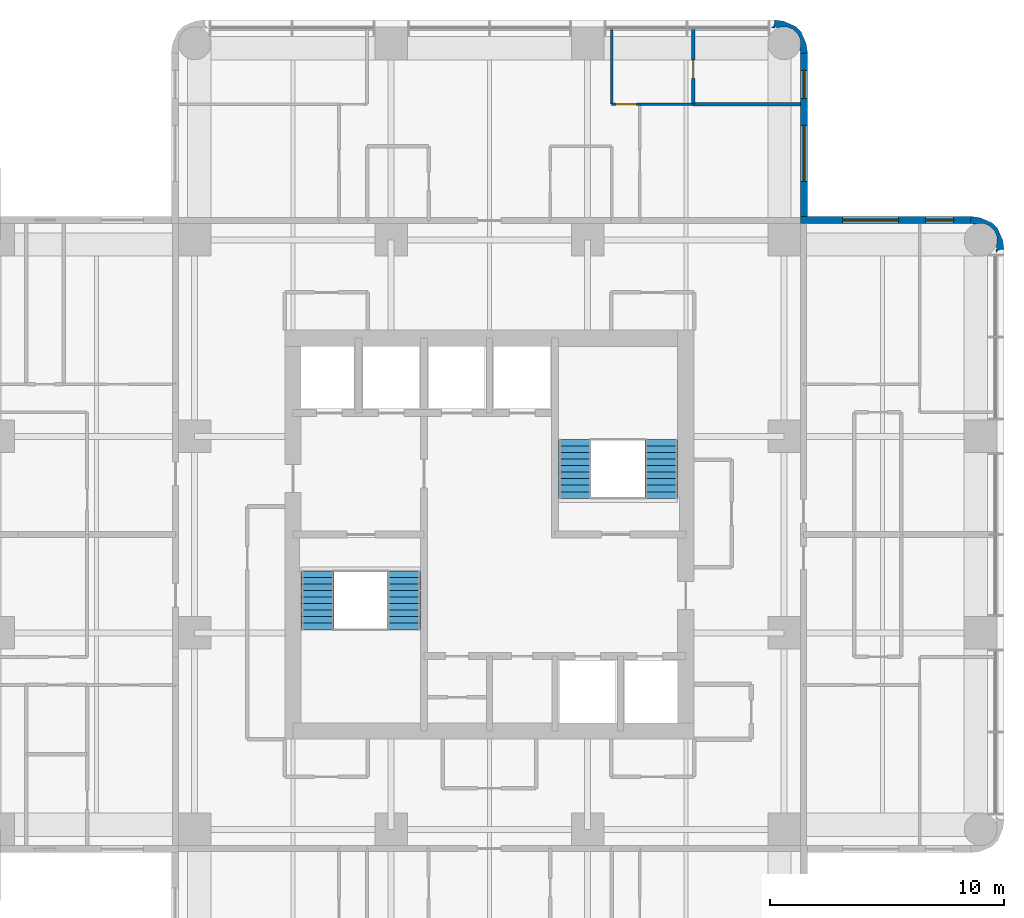
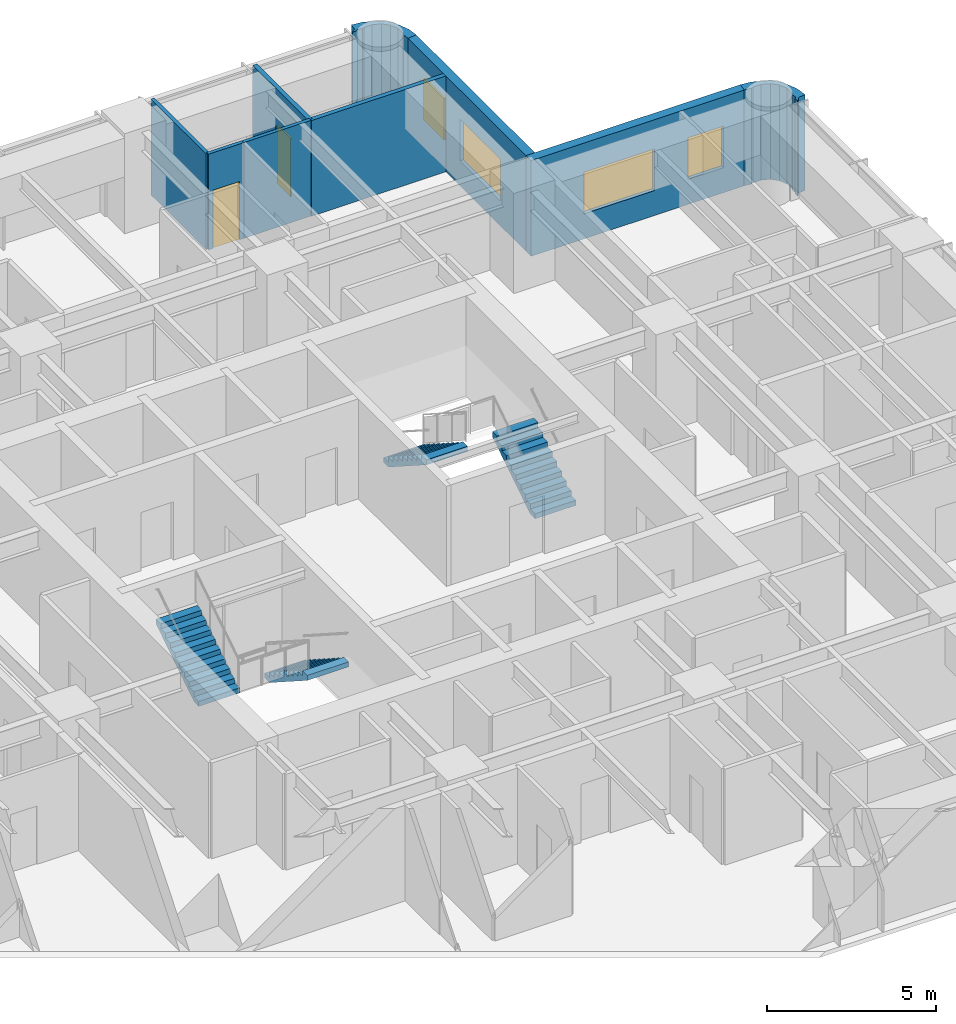
# One storey, part 10 of 11: 9 walls, 4 stair flights, 4 windows, 2 doors, 6 openings, 2 elements without a shape of their own.
"""IFC4 building model written with IfcOpenShell, lengths in metres."""

from ifc_helpers import new_model, si_unit, direction, frame, frame_2d, origin, place, context, subcontext, project, spatial, polyline, rectangle, outline, extrude, material, layer, layer_set, type_object, element, fill, aggregate, save


model = new_model("IFC4")

# Units and contexts
model_context = context("Model", 3, precision=1e-05, world=origin(), true_north=direction((0.0, 1.0)))
body_context = subcontext(model_context, "Body", "Model", "MODEL_VIEW")
ifc_project = project(units=[si_unit("LENGTHUNIT", "METRE"), si_unit("AREAUNIT", "SQUARE_METRE"), si_unit("VOLUMEUNIT", "CUBIC_METRE"), si_unit("PLANEANGLEUNIT", "RADIAN"), si_unit("MASSUNIT", "GRAM", prefix="KILO")], contexts=[model_context])

# Site, building, storey
site_placement = place(None, origin())
site = spatial("IfcSite", under=ifc_project, at=site_placement, CompositionType="ELEMENT")
building_placement = place(site_placement, origin())
building = spatial("IfcBuilding", under=site, at=building_placement, Name="Torre Alcanfor", CompositionType="ELEMENT")
storey_placement = place(building_placement, frame((0.0, 0.0, 197.699951171875)))
storey = spatial("IfcBuildingStorey", under=building, at=storey_placement, Name="L51", CompositionType="ELEMENT", Elevation=197.699951171875)

# Wall
ifc_material_1 = material(Name="Gypsum board on steel studs", Category="steel")
ifc_layer_1 = layer(ifc_material_1, 0.1201171875)
ifc_layer_set_1 = layer_set([ifc_layer_1], Name="Apartment partition 120")
wall_type_1 = type_object("IfcWallType", Name="Apartment partition 120", PredefinedType="PARTITIONING", material=ifc_layer_set_1)
wall_1_placement = place(storey_placement, frame((34.62890625, 51.050048828125, 0.0), z_axis=(0.0, 0.0, 1.0), x_axis=(0.0, -1.0, 0.0)))
element("IfcWall", 1, at=wall_1_placement, inside=storey, type_object=wall_type_1, Name="Partition L51-NX-LIVING / L51-NX-BED1", PredefinedType="PARTITIONING", context=body_context, shape_type="SweptSolid", body=[
    extrude(rectangle(XDim=3.25, YDim=0.1201171875, at=frame_2d((1.625, 0.0))), origin(), (0.0, 0.0, 1.0), 3.449951171875),
])

# Wall, opening, door
wall_2_placement = place(storey_placement, frame((34.62890625, 47.800048828125, 0.0), z_axis=(0.0, 0.0, 1.0), x_axis=(1.0, 0.0, 0.0)))
wall_2 = element("IfcWall", 2, at=wall_2_placement, inside=storey, type_object=wall_type_1, Name="Partition L51-NX-LIVING / L51-NX-BED1", PredefinedType="PARTITIONING", context=body_context, shape_type="SweptSolid", body=[
    extrude(rectangle(XDim=1.2001953125, YDim=0.1201171875, at=frame_2d((0.60009765625, 0.0))), origin(), (0.0, 0.0, 1.0), 3.449951171875),
])
opening_1_placement = place(wall_2_placement, frame((0.15087890625, 0.0, 0.0)))
opening_1 = element("IfcOpeningElement", 3, at=opening_1_placement, cuts=wall_2, Name="Opening D-R1", PredefinedType="OPENING", context=body_context, shape_type="SweptSolid", body=[
    extrude(rectangle(XDim=0.89990234375, YDim=2.10009765625, at=frame_2d((0.449951171875, 1.050048828125))), frame((0.0, 0.070068359375, 0.0), z_axis=(0.0, -1.0, 0.0), x_axis=(1.0, 0.0, 0.0)), (0.0, 0.0, 1.0), 0.14013671875),
])
ifc_material_2 = material(Name="Timber", Category="wood")
door_type_1 = type_object("IfcDoorType", Name="Internal door 900x2100", OperationType="SINGLE_SWING_LEFT", PredefinedType="DOOR", material=ifc_material_2)
door_1_placement = place(opening_1_placement, origin())
door_1 = element("IfcDoor", 4, at=door_1_placement, inside=storey, type_object=door_type_1, Name="Door L51-NX bed1", OperationType="SINGLE_SWING_LEFT", OverallHeight=2.10009765625, OverallWidth=0.89990234375, PredefinedType="DOOR", context=body_context, shape_type="SweptSolid", body=[
    extrude(rectangle(XDim=0.89990234375, YDim=2.10009765625, at=frame_2d((0.449951171875, 1.050048828125))), frame((0.0, 0.02490234375, 0.0), z_axis=(0.0, -1.0, 0.0), x_axis=(1.0, 0.0, 0.0)), (0.0, 0.0, 1.0), 0.050048828125),
])
fill(opening_1, door_1)

# Wall
wall_3_placement = place(storey_placement, frame((38.114013671875, 47.800048828125, 0.0), z_axis=(0.0, 0.0, 1.0), x_axis=(-1.0, 0.0, 0.0)))
element("IfcWall", 5, at=wall_3_placement, inside=storey, type_object=wall_type_1, Name="Partition L51-NX-BED3 / L51-NX-BED1", PredefinedType="PARTITIONING", context=body_context, shape_type="SweptSolid", body=[
    extrude(rectangle(XDim=2.284912109375, YDim=0.1201171875, at=frame_2d((1.142578125, 0.0))), origin(), (0.0, 0.0, 1.0), 3.449951171875),
])

# Wall, openings, windows
ifc_material_3 = material(Name="Limestone cladding", Category="masonry")
ifc_layer_2 = layer(ifc_material_3, 0.0400390625, Name="Facing")
ifc_material_4 = material(Name="Ventilated air cavity")
ifc_layer_3 = layer(ifc_material_4, 0.02001953125, ventilated=True, Name="Ventilated joint")
ifc_material_5 = material(Name="Mineral wool insulation", Category="insulation")
ifc_layer_4 = layer(ifc_material_5, 0.10009765625, Name="Insulation")
ifc_material_6 = material(Name="Concrete f'c 35 MPa", Category="concrete")
ifc_layer_5 = layer(ifc_material_6, 0.139892578125, Name="Backing")
ifc_layer_set_2 = layer_set([ifc_layer_2, ifc_layer_3, ifc_layer_4, ifc_layer_5], Name="External wall stone-clad 300")
wall_type_2 = type_object("IfcWallType", Name="External wall stone-clad 300", PredefinedType="SOLIDWALL", material=ifc_layer_set_2)
wall_4_placement = place(storey_placement, frame((50.0, 42.85009765625, 0.0), z_axis=(0.0, 0.0, 1.0), x_axis=(-1.0, 0.0, 0.0)))
wall_4 = element("IfcWall", 6, at=wall_4_placement, inside=storey, type_object=wall_type_2, Name="External wall L51 9", PredefinedType="SOLIDWALL", context=body_context, shape_type="SweptSolid", body=[
    extrude(rectangle(XDim=7.300048828125, YDim=0.300048828125, at=frame_2d((3.64990234375, 0.0))), origin(), (0.0, 0.0, 1.0), 3.449951171875),
])
opening_2_placement = place(wall_4_placement, frame((3.10009765625, 0.0, 0.89990234375)))
opening_2 = element("IfcOpeningElement", 7, at=opening_2_placement, cuts=wall_4, Name="Opening W1", PredefinedType="OPENING", context=body_context, shape_type="SweptSolid", body=[
    extrude(rectangle(XDim=2.39990234375, YDim=1.5, at=frame_2d((1.199951171875, 0.75))), frame((0.0, 0.159912109375, 0.0), z_axis=(0.0, -1.0, 0.0), x_axis=(1.0, 0.0, 0.0)), (0.0, 0.0, 1.0), 0.320068359375),
])
opening_3_placement = place(wall_4_placement, frame((0.75, 0.0, 0.89990234375)))
opening_3 = element("IfcOpeningElement", 8, at=opening_3_placement, cuts=wall_4, Name="Opening W4", PredefinedType="OPENING", context=body_context, shape_type="SweptSolid", body=[
    extrude(rectangle(XDim=1.199951171875, YDim=1.5, at=frame_2d((0.60009765625, 0.75))), frame((0.0, 0.159912109375, 0.0), z_axis=(0.0, -1.0, 0.0), x_axis=(1.0, 0.0, 0.0)), (0.0, 0.0, 1.0), 0.320068359375),
])
ifc_material_7 = material(Name="Aluminium frame with clear double glazing", Category="aluminium")
window_type_1 = type_object("IfcWindowType", Name="Window bedroom 1200x1500", PartitioningType="SINGLE_PANEL", PredefinedType="WINDOW", material=ifc_material_7)
window_1_placement = place(opening_3_placement, origin())
window_1 = element("IfcWindow", 9, at=window_1_placement, inside=storey, type_object=window_type_1, Name="Window W4 L51-E1", OverallHeight=1.5, OverallWidth=1.199951171875, PartitioningType="SINGLE_PANEL", PredefinedType="WINDOW", context=body_context, shape_type="SweptSolid", body=[
    extrude(rectangle(XDim=1.199951171875, YDim=1.5, at=frame_2d((0.60009765625, 0.75))), frame((0.0, 0.030029296875, 0.0), z_axis=(0.0, -1.0, 0.0), x_axis=(1.0, 0.0, 0.0)), (0.0, 0.0, 1.0), 0.06005859375),
])
fill(opening_3, window_1)
ifc_material_8 = material(Name="Aluminium frame with clear double glazing", Category="aluminium")
window_type_2 = type_object("IfcWindowType", Name="Window bedroom 2400x1500", PartitioningType="SINGLE_PANEL", PredefinedType="WINDOW", material=ifc_material_8)
window_2_placement = place(opening_2_placement, origin())
window_2 = element("IfcWindow", 10, at=window_2_placement, inside=storey, type_object=window_type_2, Name="Window W1 L51-E1", OverallHeight=1.5, OverallWidth=2.39990234375, PartitioningType="SINGLE_PANEL", PredefinedType="WINDOW", context=body_context, shape_type="SweptSolid", body=[
    extrude(rectangle(XDim=2.39990234375, YDim=1.5, at=frame_2d((1.199951171875, 0.75))), frame((0.0, 0.030029296875, 0.0), z_axis=(0.0, -1.0, 0.0), x_axis=(1.0, 0.0, 0.0)), (0.0, 0.0, 1.0), 0.06005859375),
])
fill(opening_2, window_2)

wall_5_placement = place(storey_placement, frame((42.85009765625, 43.0, 0.0), z_axis=(0.0, 0.0, 1.0), x_axis=(0.0, 1.0, 0.0)))
wall_5 = element("IfcWall", 11, at=wall_5_placement, inside=storey, type_object=wall_type_2, Name="External wall L51 10", PredefinedType="SOLIDWALL", context=body_context, shape_type="SweptSolid", body=[
    extrude(rectangle(XDim=7.0, YDim=0.300048828125, at=frame_2d((3.5, 0.0))), origin(), (0.0, 0.0, 1.0), 3.449951171875),
])
opening_4_placement = place(wall_5_placement, frame((1.5, 0.0, 0.89990234375)))
opening_4 = element("IfcOpeningElement", 12, at=opening_4_placement, cuts=wall_5, Name="Opening W1", PredefinedType="OPENING", context=body_context, shape_type="SweptSolid", body=[
    extrude(rectangle(XDim=2.39990234375, YDim=1.5, at=frame_2d((1.199951171875, 0.75))), frame((0.0, 0.159912109375, 0.0), z_axis=(0.0, -1.0, 0.0), x_axis=(1.0, 0.0, 0.0)), (0.0, 0.0, 1.0), 0.320068359375),
])
opening_5_placement = place(wall_5_placement, frame((5.050048828125, 0.0, 0.89990234375)))
opening_5 = element("IfcOpeningElement", 13, at=opening_5_placement, cuts=wall_5, Name="Opening W4", PredefinedType="OPENING", context=body_context, shape_type="SweptSolid", body=[
    extrude(rectangle(XDim=1.199951171875, YDim=1.5, at=frame_2d((0.60009765625, 0.75))), frame((0.0, 0.159912109375, 0.0), z_axis=(0.0, -1.0, 0.0), x_axis=(1.0, 0.0, 0.0)), (0.0, 0.0, 1.0), 0.320068359375),
])
window_3_placement = place(opening_5_placement, origin())
window_3 = element("IfcWindow", 14, at=window_3_placement, inside=storey, type_object=window_type_1, Name="Window W4 L51-N2", OverallHeight=1.5, OverallWidth=1.199951171875, PartitioningType="SINGLE_PANEL", PredefinedType="WINDOW", context=body_context, shape_type="SweptSolid", body=[
    extrude(rectangle(XDim=1.199951171875, YDim=1.5, at=frame_2d((0.60009765625, 0.75))), frame((0.0, 0.030029296875, 0.0), z_axis=(0.0, -1.0, 0.0), x_axis=(1.0, 0.0, 0.0)), (0.0, 0.0, 1.0), 0.06005859375),
])
fill(opening_5, window_3)
window_4_placement = place(opening_4_placement, origin())
window_4 = element("IfcWindow", 15, at=window_4_placement, inside=storey, type_object=window_type_2, Name="Window W1 L51-N2", OverallHeight=1.5, OverallWidth=2.39990234375, PartitioningType="SINGLE_PANEL", PredefinedType="WINDOW", context=body_context, shape_type="SweptSolid", body=[
    extrude(rectangle(XDim=2.39990234375, YDim=1.5, at=frame_2d((1.199951171875, 0.75))), frame((0.0, 0.030029296875, 0.0), z_axis=(0.0, -1.0, 0.0), x_axis=(1.0, 0.0, 0.0)), (0.0, 0.0, 1.0), 0.06005859375),
])
fill(opening_4, window_4)

# Walls
ifc_layer_6 = layer(ifc_material_3, 0.0400390625, Name="Facing")
ifc_layer_7 = layer(ifc_material_4, 0.02001953125, ventilated=True, Name="Ventilated joint")
ifc_layer_8 = layer(ifc_material_5, 0.10009765625, Name="Insulation")
ifc_layer_9 = layer(ifc_material_6, 0.139892578125, Name="Backing")
ifc_layer_set_3 = layer_set([ifc_layer_6, ifc_layer_7, ifc_layer_8, ifc_layer_9], Name="Rounded corner pier stone-clad 300")
wall_type_3 = type_object("IfcWallType", Name="Rounded corner pier stone-clad 300", PredefinedType="SOLIDWALL", material=ifc_layer_set_3)
wall_6_placement = place(storey_placement, frame((50.98815184, 41.487674505, 0.0), z_axis=(0.0, 0.0, 1.0), x_axis=(0.898030234854, 0.439933741929, 0.0)))
element("IfcWall", 16, at=wall_6_placement, inside=storey, type_object=wall_type_3, Name="Corner pier L51 18", PredefinedType="SOLIDWALL", context=body_context, shape_type="SweptSolid", body=[
    extrude(outline(polyline([(0.13762845900144902, -0.0395605783475044), (0.18185793649134802, -0.00033087416050568697), (0.41922313919285215, -0.08018355093564442), (0.535860291835806, 0.2661211239178742), (0.5587746083679793, 0.6308813409414961), (0.5545700157158291, 0.6511558966825934), (0.5663920082639611, 0.8356681075750403), (0.45545119814889223, 1.159160361177863), (0.33312688681130387, 1.297925592490813), (0.32402252373636403, 1.3165225487705126), (0.08234923743790223, 1.5906923948786469), (-0.22206721491752535, 1.7928353560160377), (-0.38958661601048106, 1.540782159618673), (-0.3718277173231749, 1.5320822980229156), (-0.19464371431186422, 1.4142897687749243), (-0.11970407362674929, 1.4096575385515544), (0.13067447329798665, 1.2870002306212465), (0.31526160288378063, 1.0777694581339308), (0.4057356995697948, 0.8140544036891404), (0.38812563637514036, 0.5355946934281371), (0.26546832844483254, 0.28521614650340116), (0.2089867161004748, 0.23540500505176065), (0.14757776297591008, 0.05289210976982966), (0.10504410439149783, 0.07372881532016215), (0.03190082356790798, -0.07557748105089318), (0.13762845900144902, -0.0395605783475044)])), origin(), (0.0, 0.0, 1.0), 3.449951171875),
])
wall_7_placement = place(storey_placement, frame((42.724211819, 50.110315272, 0.0), z_axis=(0.0, 0.0, 1.0), x_axis=(0.439933741929, 0.898030234854, 0.0)))
element("IfcWall", 17, at=wall_7_placement, inside=storey, type_object=wall_type_3, Name="Corner pier L51 19", PredefinedType="SOLIDWALL", context=body_context, shape_type="SweptSolid", body=[
    extrude(outline(polyline([(-0.14525732426811072, -0.04414433895897353), (0.0222620768248451, -0.29619753535633836), (0.3266785291802725, -0.09405457421894756), (0.5683518154787345, 0.1801152718891868), (0.5774561785536743, 0.19871222816888634), (0.6997804898912626, 0.33747745948183633), (0.8107213000063315, 0.6609697130846591), (0.7988993074581994, 0.8454819239771059), (0.8031039001103497, 0.8657564797182034), (0.7801895835781762, 1.2305166967418253), (0.6635524309352225, 1.5768213715953436), (0.42618722823371835, 1.496968694820205), (0.38195775074381944, 1.5361983990072037), (0.2762301153102783, 1.5722153017105926), (0.3493733961338682, 1.4229090053395372), (0.39190705471828047, 1.4437457108898697), (0.45331600784284515, 1.2612328156079387), (0.5097976201872029, 1.2114216741562982), (0.6324549281175107, 0.9610431272315622), (0.6500649913121652, 0.6825834169705589), (0.559590894626151, 0.4188683625257686), (0.37500376504035704, 0.20963759003845278), (0.1246252181156211, 0.08698028210814499), (0.04968557743050611, 0.08234805188477495), (-0.12749842558080457, -0.035444477363216154), (-0.14525732426811072, -0.04414433895897353)])), origin(), (0.0, 0.0, 1.0), 3.449951171875),
])
ifc_material_9 = material(Name="Cement board on steel studs", Category="steel")
ifc_layer_10 = layer(ifc_material_9, 0.14990234375)
ifc_layer_set_4 = layer_set([ifc_layer_10], Name="Wet area partition 150")
wall_type_4 = type_object("IfcWallType", Name="Wet area partition 150", PredefinedType="PARTITIONING", material=ifc_layer_set_4)
wall_8_placement = place(storey_placement, frame((42.699951171875, 47.800048828125, 0.0), z_axis=(0.0, 0.0, 1.0), x_axis=(-1.0, 0.0, 0.0)))
element("IfcWall", 18, at=wall_8_placement, inside=storey, type_object=wall_type_4, Name="Partition L51-NX-BED3 / L51-NX-BATH1", PredefinedType="PARTITIONING", context=body_context, shape_type="SweptSolid", body=[
    extrude(rectangle(XDim=4.5859375, YDim=0.14990234375, at=frame_2d((2.29296875, 0.0))), origin(), (0.0, 0.0, 1.0), 3.449951171875),
])

# Wall, opening, door
wall_9_placement = place(storey_placement, frame((38.114013671875, 51.050048828125, 0.0), z_axis=(0.0, 0.0, 1.0), x_axis=(0.0, -1.0, 0.0)))
wall_9 = element("IfcWall", 19, at=wall_9_placement, inside=storey, type_object=wall_type_4, Name="Partition L51-NX-BATH1 / L51-NX-BED1", PredefinedType="PARTITIONING", context=body_context, shape_type="SweptSolid", body=[
    extrude(rectangle(XDim=3.25, YDim=0.14990234375, at=frame_2d((1.625, 0.0))), origin(), (0.0, 0.0, 1.0), 3.449951171875),
])
opening_6_placement = place(wall_9_placement, frame((1.35009765625, 0.0, 0.0)))
opening_6 = element("IfcOpeningElement", 20, at=opening_6_placement, cuts=wall_9, Name="Opening D-R2", PredefinedType="OPENING", context=body_context, shape_type="SweptSolid", body=[
    extrude(rectangle(XDim=0.800048828125, YDim=2.10009765625, at=frame_2d((0.39990234375, 1.050048828125))), frame((0.0, 0.0849609375, 0.0), z_axis=(0.0, -1.0, 0.0), x_axis=(1.0, 0.0, 0.0)), (0.0, 0.0, 1.0), 0.169921875),
])
ifc_material_10 = material(Name="Timber", Category="wood")
door_type_2 = type_object("IfcDoorType", Name="Bathroom door 800x2100", OperationType="SINGLE_SWING_LEFT", PredefinedType="DOOR", material=ifc_material_10)
door_2_placement = place(opening_6_placement, frame((0.800048828125, 0.0, 0.0), z_axis=(0.0, 0.0, 1.0), x_axis=(-1.0, 0.0, 0.0)))
door_2 = element("IfcDoor", 21, at=door_2_placement, inside=storey, type_object=door_type_2, Name="Door L51-NX bath1", OperationType="SINGLE_SWING_LEFT", OverallHeight=2.10009765625, OverallWidth=0.800048828125, PredefinedType="DOOR", context=body_context, shape_type="SweptSolid", body=[
    extrude(rectangle(XDim=0.800048828125, YDim=2.10009765625, at=frame_2d((0.400146484375, 1.050048828125))), frame((0.0, 0.025146484375, 0.0), z_axis=(0.0, -1.0, 0.0), x_axis=(1.0, 0.0, 0.0)), (0.0, 0.0, 1.0), 0.050048828125),
])
fill(opening_6, door_2)

# Stair, stair flights
ifc_material_11 = material(Name="Concrete f'c 35 MPa", Category="concrete")
stair_type_1 = type_object("IfcStairType", Name="Exit stair S1 1400 wide", PredefinedType="HALF_TURN_STAIR", material=ifc_material_11)
stair_1_placement = place(storey_placement, origin())
stair_1 = element("IfcStair", 22, at=stair_1_placement, inside=storey, type_object=stair_type_1, Name="Stair S1 L51 to L52", PredefinedType="HALF_TURN_STAIR")
ifc_material_12 = material(Name="Concrete f'c 35 MPa", Category="concrete")
stair_flight_type = type_object("IfcStairFlightType", Name="Stair flight 1400", PredefinedType="STRAIGHT", material=ifc_material_12)
stair_flight_1_placement = place(storey_placement, frame((25.75, 27.85009765625, 0.0), z_axis=(0.0, 0.0, 1.0), x_axis=(0.0, -1.0, 0.0)))
stair_flight_1 = element("IfcStairFlight", 23, at=stair_flight_1_placement, type_object=stair_flight_type, Name="S1 flight 1", NumberOfRisers=10, NumberOfTreads=9, PredefinedType="STRAIGHT", RiserHeight=0.18, TreadLength=0.28, context=body_context, shape_type="SweptSolid", body=[
    extrude(outline(polyline([(0.0, 0.0), (0.0, 0.179931640625), (0.280029296875, 0.179931640625), (0.280029296875, 0.360107421875), (0.56005859375, 0.360107421875), (0.56005859375, 0.5400390625), (0.840087890625, 0.5400390625), (0.840087890625, 0.719970703125), (1.1201171875, 0.719970703125), (1.1201171875, 0.89990234375), (1.39990234375, 0.89990234375), (1.39990234375, 1.080078125), (1.679931640625, 1.080078125), (1.679931640625, 1.260009765625), (1.9599609375, 1.260009765625), (1.9599609375, 1.43994140625), (2.239990234375, 1.43994140625), (2.239990234375, 1.6201171875), (2.52001953125, 1.6201171875), (2.52001953125, 1.800048828125), (2.52001953125, 1.44189453125), (0.277099609375, 0.0), (0.0, 0.0)])), frame((0.0, 0.699951171875, 0.0), z_axis=(0.0, -1.0, 0.0), x_axis=(1.0, 0.0, 0.0)), (0.0, 0.0, 1.0), 1.39990234375),
])
stair_flight_2_placement = place(storey_placement, frame((22.050048828125, 25.330078125, 1.800048828125), z_axis=(0.0, 0.0, 1.0), x_axis=(0.0, 1.0, 0.0)))
stair_flight_2 = element("IfcStairFlight", 24, at=stair_flight_2_placement, type_object=stair_flight_type, Name="S1 flight 2", NumberOfRisers=10, NumberOfTreads=9, PredefinedType="STRAIGHT", RiserHeight=0.18, TreadLength=0.28, context=body_context, shape_type="SweptSolid", body=[
    extrude(outline(polyline([(0.0, 0.0), (0.0, 0.179931640625), (0.280029296875, 0.179931640625), (0.280029296875, 0.360107421875), (0.56005859375, 0.360107421875), (0.56005859375, 0.5400390625), (0.840087890625, 0.5400390625), (0.840087890625, 0.719970703125), (1.1201171875, 0.719970703125), (1.1201171875, 0.89990234375), (1.39990234375, 0.89990234375), (1.39990234375, 1.080078125), (1.679931640625, 1.080078125), (1.679931640625, 1.260009765625), (1.9599609375, 1.260009765625), (1.9599609375, 1.43994140625), (2.239990234375, 1.43994140625), (2.239990234375, 1.6201171875), (2.52001953125, 1.6201171875), (2.52001953125, 1.800048828125), (2.52001953125, 1.44189453125), (0.277099609375, 0.0), (0.0, 0.0)])), frame((0.0, 0.699951171875, 0.0), z_axis=(0.0, -1.0, 0.0), x_axis=(1.0, 0.0, 0.0)), (0.0, 0.0, 1.0), 1.39990234375),
])
aggregate(stair_1, [stair_flight_1, stair_flight_2])

ifc_material_13 = material(Name="Concrete f'c 35 MPa", Category="concrete")
stair_type_2 = type_object("IfcStairType", Name="Exit stair S2 1400 wide", PredefinedType="HALF_TURN_STAIR", material=ifc_material_13)
stair_2_placement = place(storey_placement, origin())
stair_2 = element("IfcStair", 25, at=stair_2_placement, inside=storey, type_object=stair_type_2, Name="Stair S2 L51 to L52", PredefinedType="HALF_TURN_STAIR")
stair_flight_3_placement = place(storey_placement, frame((36.75, 30.949951171875, 0.0), z_axis=(0.0, 0.0, 1.0), x_axis=(0.0, 1.0, 0.0)))
stair_flight_3 = element("IfcStairFlight", 26, at=stair_flight_3_placement, type_object=stair_flight_type, Name="S2 flight 1", NumberOfRisers=10, NumberOfTreads=9, PredefinedType="STRAIGHT", RiserHeight=0.18, TreadLength=0.28, context=body_context, shape_type="SweptSolid", body=[
    extrude(outline(polyline([(0.0, 0.0), (0.0, 0.179931640625), (0.280029296875, 0.179931640625), (0.280029296875, 0.360107421875), (0.56005859375, 0.360107421875), (0.56005859375, 0.5400390625), (0.840087890625, 0.5400390625), (0.840087890625, 0.719970703125), (1.1201171875, 0.719970703125), (1.1201171875, 0.89990234375), (1.39990234375, 0.89990234375), (1.39990234375, 1.080078125), (1.679931640625, 1.080078125), (1.679931640625, 1.260009765625), (1.9599609375, 1.260009765625), (1.9599609375, 1.43994140625), (2.239990234375, 1.43994140625), (2.239990234375, 1.6201171875), (2.52001953125, 1.6201171875), (2.52001953125, 1.800048828125), (2.52001953125, 1.44189453125), (0.277099609375, 0.0), (0.0, 0.0)])), frame((0.0, 0.699951171875, 0.0), z_axis=(0.0, -1.0, 0.0), x_axis=(1.0, 0.0, 0.0)), (0.0, 0.0, 1.0), 1.39990234375),
])
stair_flight_4_placement = place(storey_placement, frame((33.050048828125, 33.469970703125, 1.800048828125), z_axis=(0.0, 0.0, 1.0), x_axis=(0.0, -1.0, 0.0)))
stair_flight_4 = element("IfcStairFlight", 27, at=stair_flight_4_placement, type_object=stair_flight_type, Name="S2 flight 2", NumberOfRisers=10, NumberOfTreads=9, PredefinedType="STRAIGHT", RiserHeight=0.18, TreadLength=0.28, context=body_context, shape_type="SweptSolid", body=[
    extrude(outline(polyline([(0.0, 0.0), (0.0, 0.179931640625), (0.280029296875, 0.179931640625), (0.280029296875, 0.360107421875), (0.56005859375, 0.360107421875), (0.56005859375, 0.5400390625), (0.840087890625, 0.5400390625), (0.840087890625, 0.719970703125), (1.1201171875, 0.719970703125), (1.1201171875, 0.89990234375), (1.39990234375, 0.89990234375), (1.39990234375, 1.080078125), (1.679931640625, 1.080078125), (1.679931640625, 1.260009765625), (1.9599609375, 1.260009765625), (1.9599609375, 1.43994140625), (2.239990234375, 1.43994140625), (2.239990234375, 1.6201171875), (2.52001953125, 1.6201171875), (2.52001953125, 1.800048828125), (2.52001953125, 1.44189453125), (0.277099609375, 0.0), (0.0, 0.0)])), frame((0.0, 0.699951171875, 0.0), z_axis=(0.0, -1.0, 0.0), x_axis=(1.0, 0.0, 0.0)), (0.0, 0.0, 1.0), 1.39990234375),
])
aggregate(stair_2, [stair_flight_3, stair_flight_4])

save(model, "model.ifc")
